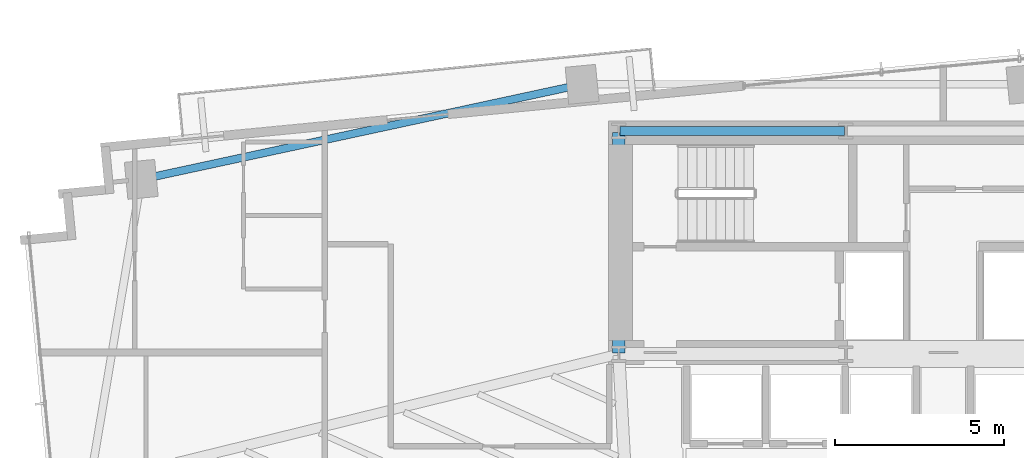
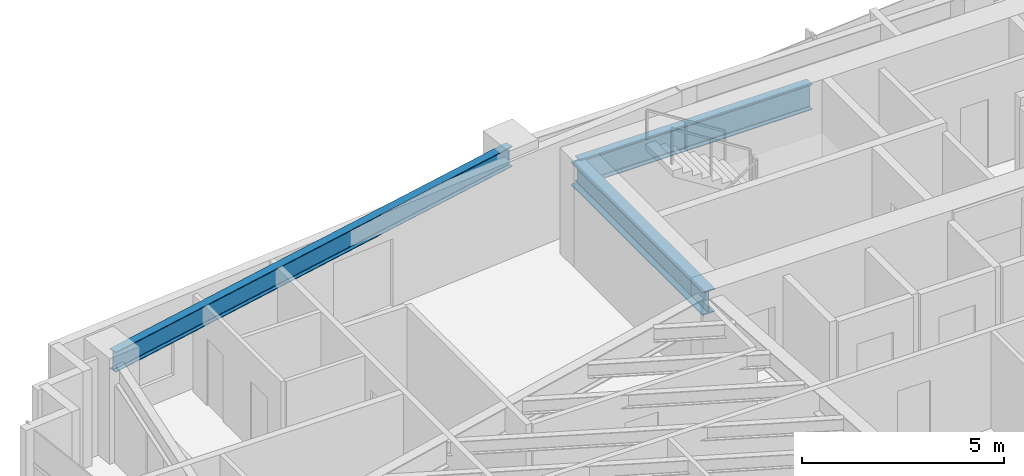
# One storey, part 9 of 27: 3 beams.
"""IFC4 building model written with IfcOpenShell, lengths in metres."""

import ifcopenshell
import ifcopenshell.guid

model = None  # the IFC model being written
_history = None  # IfcOwnerHistory: only IFC2X3 demands one
_inside = {}  # id of a spatial element -> (the spatial element, [elements in it])
_under = {}  # id of a project, library or spatial element -> (it, [spatial elements below it])
_declared = {}  # id of a project -> (the project, [libraries it declares])
_typed = {}  # id of a type object -> (the type object, [elements of that type])
_made_of = {}  # id of a material, layer set ... -> (it, [elements and type objects made of it])


def new_model(schema):
    """Start an empty IFC model of exactly this schema.

    Asked for "IFC4X3", IfcOpenShell would pick the latest addendum, in which some entities
    have other attributes; the version numbers below select the first issue.
    IFC2X3 requires an IfcOwnerHistory on every rooted entity: one is made here for all.
    """
    global model, _history
    if schema == "IFC4X3":
        model = ifcopenshell.file(schema_version=(4, 3, 0, 0))
    else:
        model = ifcopenshell.file(schema=schema)
    _inside.clear()
    _under.clear()
    _declared.clear()
    _typed.clear()
    _made_of.clear()
    _history = None
    if model.schema == "IFC2X3":
        org = make("IfcOrganization", Name="unknown")
        user = make(
            "IfcPersonAndOrganization",
            ThePerson=make("IfcPerson", FamilyName="unknown"),
            TheOrganization=org,
        )
        app = make(
            "IfcApplication",
            ApplicationDeveloper=org,
            Version="unknown",
            ApplicationFullName="unknown",
            ApplicationIdentifier="unknown",
        )
        _history = make(
            "IfcOwnerHistory",
            OwningUser=user,
            OwningApplication=app,
            ChangeAction="ADDED",
            CreationDate=0,
        )
    return model


def make(cls, **values):
    """One entity of the class cls with the attributes given. An attribute that is None is left unset."""
    return model.create_entity(
        cls, **{name: value for name, value in values.items() if value is not None}
    )


def rooted(cls, **values):
    """An entity with a GlobalId (a new one), such as an element, a storey or a relation."""
    return make(cls, GlobalId=ifcopenshell.guid.new(), OwnerHistory=_history, **values)


def si_unit(unit_type, name, prefix=None):
    """IfcSIUnit, for example si_unit("LENGTHUNIT", "METRE", prefix="MILLI")."""
    return make("IfcSIUnit", UnitType=unit_type, Prefix=prefix, Name=name)


def assignment(units):
    """IfcUnitAssignment: the units of a project."""
    return None if units is None else make("IfcUnitAssignment", Units=units)


def point(xyz):
    """IfcCartesianPoint."""
    return None if xyz is None else make("IfcCartesianPoint", Coordinates=xyz)


def direction(xyz):
    """IfcDirection."""
    return None if xyz is None else make("IfcDirection", DirectionRatios=xyz)


def frame(location, z_axis=None, x_axis=None):
    """IfcAxis2Placement3D, a coordinate frame: its origin and axes. An axis left out is left unset."""
    return make(
        "IfcAxis2Placement3D",
        Location=point(location),
        Axis=direction(z_axis),
        RefDirection=direction(x_axis),
    )


def frame_2d(location, x_axis=None):
    """IfcAxis2Placement2D, a coordinate frame in the plane: its origin and x axis."""
    return make(
        "IfcAxis2Placement2D", Location=point(location), RefDirection=direction(x_axis)
    )


def origin():
    """The frame at (0, 0, 0) with its axes left unset."""
    return frame((0.0, 0.0, 0.0))


def origin_2d():
    """The frame at (0, 0) in the plane with its x axis left unset."""
    return frame_2d((0.0, 0.0))


def place(relative_to, where):
    """IfcLocalPlacement: puts the frame where relative to a parent placement (None: the world)."""
    return make(
        "IfcLocalPlacement", PlacementRelTo=relative_to, RelativePlacement=where
    )


def context(
    kind, dimensions, precision=None, world=None, true_north=None, identifier=None
):
    """IfcGeometricRepresentationContext, for example the 3D "Model" context."""
    return make(
        "IfcGeometricRepresentationContext",
        ContextIdentifier=identifier,
        ContextType=kind,
        CoordinateSpaceDimension=dimensions,
        Precision=precision,
        WorldCoordinateSystem=world,
        TrueNorth=true_north,
    )


def subcontext(parent, identifier, kind, view, scale=None):
    """IfcGeometricRepresentationSubContext, for example "Body" below "Model"."""
    return make(
        "IfcGeometricRepresentationSubContext",
        ContextIdentifier=identifier,
        ContextType=kind,
        ParentContext=parent,
        TargetScale=scale,
        TargetView=view,
    )


def project(units=None, contexts=None):
    """IfcProject with its units and contexts."""
    return rooted(
        "IfcProject",
        Name="project",
        RepresentationContexts=contexts,
        UnitsInContext=assignment(units),
    )


def spatial(cls, under=None, at=None, **own):
    """A site, building, storey or space (cls), placed at a placement, below another one or the project."""
    s = rooted(cls, ObjectPlacement=at, **own)
    if under is not None:
        _under.setdefault(under.id(), (under, []))[1].append(s)
    return s


def profile(cls, at=None, kind="AREA", **sizes):
    """A parametric profile (cls). Its sizes go by their IFC names, for example OverallWidth=200.0."""
    return make(cls, ProfileType=kind, Position=at, **sizes)


def i_section(**sizes):
    """IfcIShapeProfileDef."""
    return profile("IfcIShapeProfileDef", **sizes)


def extrude(swept, where, along, depth):
    """IfcExtrudedAreaSolid: the profile swept, set in the frame where, extruded along a direction by depth."""
    return make(
        "IfcExtrudedAreaSolid",
        SweptArea=swept,
        Position=where,
        ExtrudedDirection=direction(along),
        Depth=depth,
    )


def shape(context_of_items, identifier, shape_type, items):
    """IfcShapeRepresentation: the items that make up one representation, for example the "Body"."""
    return make(
        "IfcShapeRepresentation",
        ContextOfItems=context_of_items,
        RepresentationIdentifier=identifier,
        RepresentationType=shape_type,
        Items=items,
    )


def source(mapping_origin, context_of_items, identifier, shape_type, items):
    """IfcRepresentationMap: a shape defined once, which mapped items show again and again."""
    return make(
        "IfcRepresentationMap",
        MappingOrigin=mapping_origin,
        MappedRepresentation=shape(context_of_items, identifier, shape_type, items),
    )


def transform(
    local_origin,
    x_axis=None,
    y_axis=None,
    z_axis=None,
    scale=None,
    scale2=None,
    scale3=None,
    uniform=True,
):
    """IfcCartesianTransformationOperator3D, or its non-uniform kind. x_axis, y_axis, z_axis: its Axis1, 2, 3."""
    if uniform:
        return make(
            "IfcCartesianTransformationOperator3D",
            Axis1=direction(x_axis),
            Axis2=direction(y_axis),
            LocalOrigin=point(local_origin),
            Scale=scale,
            Axis3=direction(z_axis),
        )
    return make(
        "IfcCartesianTransformationOperator3DnonUniform",
        Axis1=direction(x_axis),
        Axis2=direction(y_axis),
        LocalOrigin=point(local_origin),
        Scale=scale,
        Axis3=direction(z_axis),
        Scale2=scale2,
        Scale3=scale3,
    )


def mapped(mapping_source, mapping_target):
    """IfcMappedItem: shows the shape of a source again, moved by a transform."""
    return make(
        "IfcMappedItem", MappingSource=mapping_source, MappingTarget=mapping_target
    )


def material(Name=None, Category=None):
    """IfcMaterial."""
    return make("IfcMaterial", Name=Name, Category=Category)


def material_profile(
    of_material, cross_section, Name=None, Category=None, Priority=None
):
    """IfcMaterialProfile: a cross section and its material."""
    return make(
        "IfcMaterialProfile",
        Name=Name,
        Material=of_material,
        Profile=cross_section,
        Priority=Priority,
        Category=Category,
    )


def profile_set(profiles, Name=None, composite=None):
    """IfcMaterialProfileSet."""
    return make(
        "IfcMaterialProfileSet",
        Name=Name,
        MaterialProfiles=profiles,
        CompositeProfile=composite,
    )


def made_of(thing, what):
    """Note that an element or type object is made of a material, layer set ...; save() writes the relation."""
    if what is not None:
        _made_of.setdefault(what.id(), (what, []))[1].append(thing)
    return thing


def type_object(cls, material=None, **own):
    """A type object (cls), such as IfcWallType, which elements share."""
    return made_of(rooted(cls, **own), material)


def type_shapes(of_type, sources):
    """Give a type object the sources (RepresentationMaps) that its elements show as mapped items."""
    of_type.RepresentationMaps = sources


def element(
    cls,
    number,
    at=None,
    inside=None,
    cuts=None,
    type_object=None,
    material=None,
    context=None,
    identifier="Body",
    shape_type=None,
    held_by="IfcProductDefinitionShape",
    body=None,
    shapes=None,
    **own,
):
    """One element of the class cls, such as IfcWall. Its Tag is "e" and its number.

    at: its placement. inside: the storey or other place that contains it. cuts: it is an
    opening in that element (IfcRelVoidsElement). A single representation is given by context,
    identifier, shape_type and body (its items); several are given by shapes. held_by: the class
    of the entity that holds the representations. save() writes the other relations.
    """
    e = rooted(cls, Tag="e%d" % number, ObjectPlacement=at, **own)
    if body is not None:
        shapes = [shape(context, identifier, shape_type, body)]
    if shapes is not None:
        e.Representation = make(held_by, Representations=shapes)
    if inside is not None:
        _inside.setdefault(inside.id(), (inside, []))[1].append(e)
    if cuts is not None:
        rooted(
            "IfcRelVoidsElement", RelatingBuildingElement=cuts, RelatedOpeningElement=e
        )
    if type_object is not None:
        _typed.setdefault(type_object.id(), (type_object, []))[1].append(e)
    return made_of(e, material)


def aggregate(whole, parts):
    """IfcRelAggregates: a whole, such as a stair, and the parts it consists of."""
    return rooted("IfcRelAggregates", RelatingObject=whole, RelatedObjects=parts)


def save(model, path):
    """Write the relations noted so far, then the file.

    IfcRelAggregates (storeys below a building ...), IfcRelContainedInSpatialStructure (elements
    in a storey), IfcRelDefinesByType, IfcRelAssociatesMaterial and IfcRelDeclares: one each for
    every whole, place, type object, material and project.
    """
    for whole, parts in _under.values():
        aggregate(whole, parts)
    for where, things in _inside.values():
        rooted(
            "IfcRelContainedInSpatialStructure",
            RelatedElements=things,
            RelatingStructure=where,
        )
    for kind, things in _typed.values():
        rooted("IfcRelDefinesByType", RelatedObjects=things, RelatingType=kind)
    for what, things in _made_of.values():
        rooted("IfcRelAssociatesMaterial", RelatedObjects=things, RelatingMaterial=what)
    for by, libraries in _declared.values():
        rooted("IfcRelDeclares", RelatingContext=by, RelatedDefinitions=libraries)
    model.write(path)


model = new_model("IFC4")

# Units and contexts
model_context = context("Model", 3, precision=1e-05, world=origin(), true_north=direction((0.0, 1.0)))
body_context = subcontext(model_context, "Body", "Model", "MODEL_VIEW")
ifc_project = project(units=[si_unit("LENGTHUNIT", "METRE"), si_unit("AREAUNIT", "SQUARE_METRE"), si_unit("VOLUMEUNIT", "CUBIC_METRE"), si_unit("PLANEANGLEUNIT", "RADIAN"), si_unit("MASSUNIT", "GRAM", prefix="KILO")], contexts=[model_context])

# Site, building, storey
site_placement = place(None, origin())
site = spatial("IfcSite", under=ifc_project, at=site_placement, CompositionType="ELEMENT")
building_placement = place(site_placement, origin())
building = spatial("IfcBuilding", under=site, at=building_placement, Name="Astriad Promenade Condominiums", CompositionType="ELEMENT")
storey_placement = place(building_placement, frame((0.0, 0.0, 90.60009765625)))
storey = spatial("IfcBuildingStorey", under=building, at=storey_placement, Name="L25", CompositionType="ELEMENT", Elevation=90.60009765625)

# Beams
ifc_material = material(Name="Steel ASTM A992 Grade 50", Category="steel")
ifc_material_profile_1 = material_profile(ifc_material, i_section(OverallWidth=0.267822265625, OverallDepth=0.76953125, WebThickness=0.015625, FlangeThickness=0.025390625, FilletRadius=0.021484375, at=origin_2d()), Name="W30X132")
ifc_profile_set_1 = profile_set([ifc_material_profile_1], Name="Steel ASTM A992 Grade 50")
beam_type_1 = type_object("IfcBeamType", Name="STEEL FLOOR GIRDER W30X132", PredefinedType="BEAM", material=ifc_profile_set_1)
shared_shape_1 = source(origin(), body_context, "Body", "SweptSolid", [
    extrude(i_section(OverallWidth=0.267822265625, OverallDepth=0.76953125, WebThickness=0.015625, FlangeThickness=0.025390625, FilletRadius=0.021484375, at=origin_2d()), origin(), (0.0, 0.0, 1.0), 6.64013671875),
])
type_shapes(beam_type_1, [shared_shape_1])
beam_1_placement = place(storey_placement, frame((26.43994140625, 24.0, 2.55517578125), z_axis=(1.0, 0.0, 0.0), x_axis=(0.0, 1.0, 0.0)))
element("IfcBeam", 1, at=beam_1_placement, inside=storey, type_object=beam_type_1, Name="Core Ring Beam CG-N1-L25", PredefinedType="BEAM", context=body_context, shape_type="MappedRepresentation", body=[
    mapped(shared_shape_1, transform((0.0, 0.0, 0.0), scale=1.0)),
])
ifc_material_profile_2 = material_profile(ifc_material, i_section(OverallWidth=0.35791015625, OverallDepth=0.706298828125, WebThickness=0.018310546875, FlangeThickness=0.0302734375, FilletRadius=0.020263671875, at=origin_2d()), Name="W27X178")
ifc_profile_set_2 = profile_set([ifc_material_profile_2], Name="Steel ASTM A992 Grade 50")
beam_type_2 = type_object("IfcBeamType", Name="STEEL FLOOR GIRDER W27X178", PredefinedType="BEAM", material=ifc_profile_set_2)
shared_shape_2 = source(origin(), body_context, "Body", "SweptSolid", [
    extrude(i_section(OverallWidth=0.35791015625, OverallDepth=0.706298828125, WebThickness=0.018310546875, FlangeThickness=0.0302734375, FilletRadius=0.020263671875, at=origin_2d()), origin(), (0.0, 0.0, 1.0), 6.52001953125),
])
type_shapes(beam_type_2, [shared_shape_2])
beam_2_placement = place(storey_placement, frame((26.39990234375, 17.43994140625, 2.586669921875), z_axis=(0.0, 1.0, 0.0), x_axis=(-1.0, 0.0, 0.0)))
element("IfcBeam", 2, at=beam_2_placement, inside=storey, type_object=beam_type_2, Name="Core Ring Beam CG-W1-L25", PredefinedType="BEAM", context=body_context, shape_type="MappedRepresentation", body=[
    mapped(shared_shape_2, transform((0.0, 0.0, 0.0), scale=1.0)),
])
ifc_material_profile_3 = material_profile(ifc_material, i_section(OverallWidth=0.22900390625, OverallDepth=0.612060546875, WebThickness=0.011962890625, FlangeThickness=0.01953125, FilletRadius=0.017822265625, at=origin_2d()), Name="W24X84")
ifc_profile_set_3 = profile_set([ifc_material_profile_3], Name="Steel ASTM A992 Grade 50")
beam_type_3 = type_object("IfcBeamType", Name="STEEL SPANDREL BEAM W24X84", PredefinedType="SPANDREL", material=ifc_profile_set_3)
shared_shape_3 = source(origin(), body_context, "Body", "SweptSolid", [
    extrude(i_section(OverallWidth=0.22900390625, OverallDepth=0.612060546875, WebThickness=0.011962890625, FlangeThickness=0.01953125, FilletRadius=0.017822265625, at=origin_2d()), origin(), (0.0, 0.0, 1.0), 13.25927734375),
])
type_shapes(beam_type_3, [shared_shape_3])
beam_3_placement = place(storey_placement, frame((25.27587890625, 25.37158203125, 2.6337890625), z_axis=(-0.977531608864, -0.210788884127, 0.0), x_axis=(0.210788884127, -0.977531608864, 0.0)))
element("IfcBeam", 3, at=beam_3_placement, inside=storey, type_object=beam_type_3, Name="Perimeter Spandrel Beam SP-N1-L25", PredefinedType="SPANDREL", context=body_context, shape_type="MappedRepresentation", body=[
    mapped(shared_shape_3, transform((0.0, 0.0, 0.0), scale=1.0)),
])

save(model, "model.ifc")
